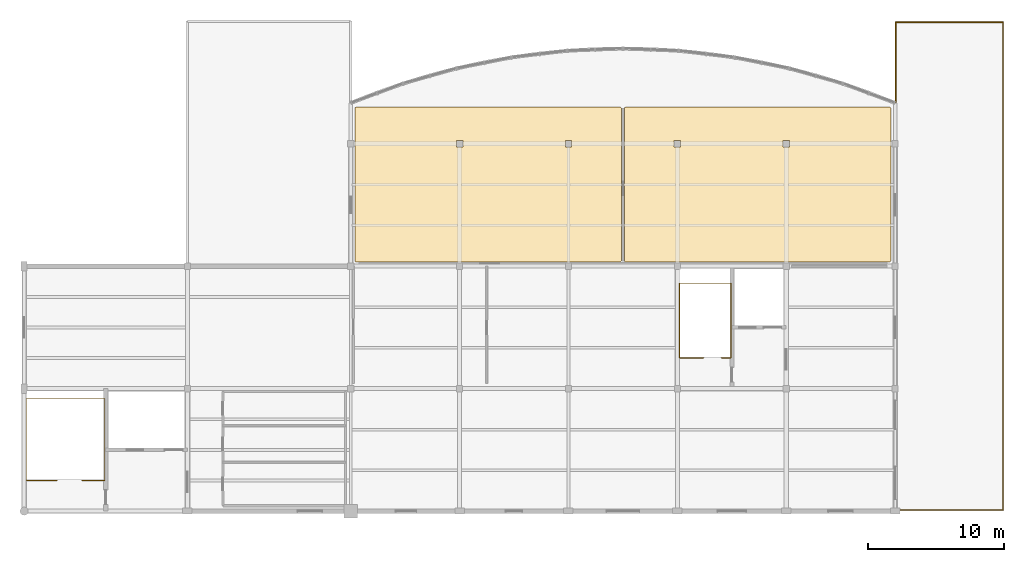
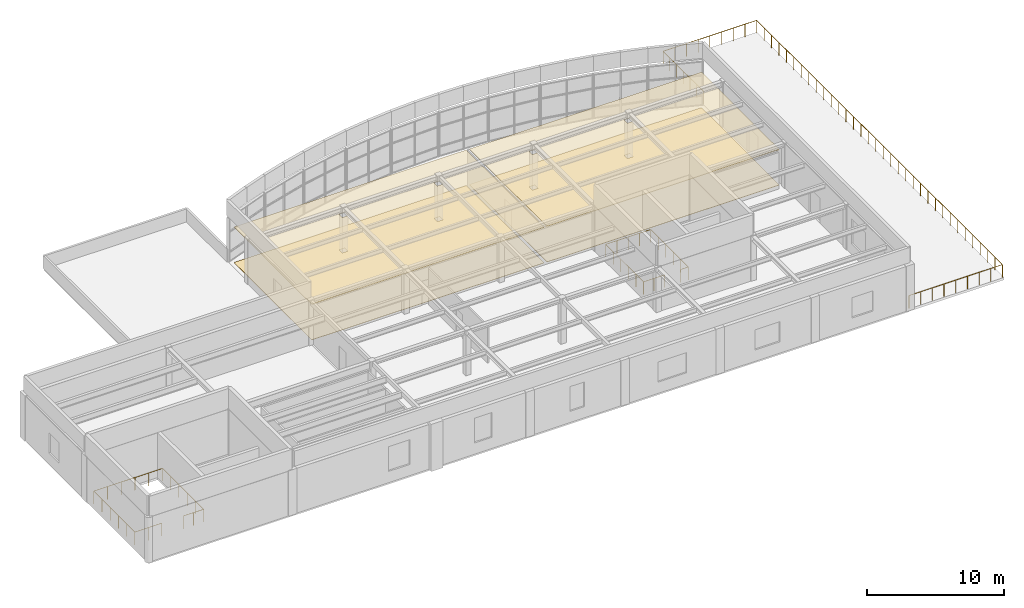
# One storey, part 9 of 9: 4 coverings, 3 railings.
"""IFC4 building model written with IfcOpenShell, lengths in metres."""

from ifc_helpers import new_model, si_unit, direction, frame, origin, origin_2d, place, context, subcontext, project, spatial, polyline, circle, outline, extrude, material, layer, layer_set, type_object, element, save


model = new_model("IFC4")

# Units and contexts
model_context = context("Model", 3, precision=1e-05, world=origin(), true_north=direction((0.0, 1.0)))
body_context = subcontext(model_context, "Body", "Model", "MODEL_VIEW")
ifc_project = project(units=[si_unit("LENGTHUNIT", "METRE"), si_unit("AREAUNIT", "SQUARE_METRE"), si_unit("VOLUMEUNIT", "CUBIC_METRE"), si_unit("PLANEANGLEUNIT", "RADIAN"), si_unit("MASSUNIT", "GRAM", prefix="KILO")], contexts=[model_context])

# Site, building, storey
site_placement = place(None, origin())
site = spatial("IfcSite", under=ifc_project, at=site_placement, CompositionType="ELEMENT")
building_placement = place(site_placement, origin())
building = spatial("IfcBuilding", under=site, at=building_placement, Name="Keelwater Ferry Terminal", CompositionType="ELEMENT")
storey_placement = place(building_placement, frame((0.0, 0.0, 23.699951171875)))
storey = spatial("IfcBuildingStorey", under=building, at=storey_placement, Name="L05", CompositionType="ELEMENT", Elevation=23.699951171875)

# Railing
ifc_material_1 = material(Name="Marine stainless steel and laminated glass balustrade", Category="steel")
railing_type_1 = type_object("IfcRailingType", Name="BL-115 Waterfront Promenade Balustrade", PredefinedType="BALUSTRADE", material=ifc_material_1)
railing_1_placement = place(storey_placement, frame((172.050048828125, 90.080078125, 0.0)))
element("IfcRailing", 1, at=railing_1_placement, inside=storey, type_object=railing_type_1, Name="Observation Deck Guard 7", PredefinedType="BALUSTRADE", context=body_context, shape_type="SweptSolid", body=[
    extrude(circle(Radius=0.02685546875, at=origin_2d()), frame((0.0, 0.0, 1.123046875), z_axis=(1.0, 0.0, 0.0), x_axis=(0.0, 1.0, 0.0)), (0.0, 0.0, 1.0), 7.869873046875),
    extrude(circle(Radius=0.02685546875, at=origin_2d()), frame((7.869873046875, 0.0, 1.123046875), z_axis=(0.0, 1.0, 0.0), x_axis=(-1.0, 0.0, 0.0)), (0.0, 0.0, 1.0), 35.83984375),
    extrude(circle(Radius=0.02685546875, at=origin_2d()), frame((7.869873046875, 35.83984375, 1.123046875), z_axis=(-1.0, 0.0, 0.0), x_axis=(0.0, -1.0, 0.0)), (0.0, 0.0, 1.0), 7.869873046875),
    extrude(circle(Radius=0.02685546875, at=origin_2d()), frame((0.0, 35.83984375, 1.123046875), z_axis=(0.0, -1.0, 0.0), x_axis=(1.0, 0.0, 0.0)), (0.0, 0.0, 1.0), 5.869873046875),
    extrude(circle(Radius=0.02392578125, at=origin_2d()), origin(), (0.0, 0.0, 1.0), 1.095947265625),
    extrude(circle(Radius=0.02392578125, at=origin_2d()), frame((0.983642578125, 0.0, 0.0)), (0.0, 0.0, 1.0), 1.095947265625),
    extrude(circle(Radius=0.02392578125, at=origin_2d()), frame((1.967529296875, 0.0, 0.0)), (0.0, 0.0, 1.0), 1.095947265625),
    extrude(circle(Radius=0.02392578125, at=origin_2d()), frame((2.951171875, 0.0, 0.0)), (0.0, 0.0, 1.0), 1.095947265625),
    extrude(circle(Radius=0.02392578125, at=origin_2d()), frame((3.93505859375, 0.0, 0.0)), (0.0, 0.0, 1.0), 1.095947265625),
    extrude(circle(Radius=0.02392578125, at=origin_2d()), frame((4.918701171875, 0.0, 0.0)), (0.0, 0.0, 1.0), 1.095947265625),
    extrude(circle(Radius=0.02392578125, at=origin_2d()), frame((5.90234375, 0.0, 0.0)), (0.0, 0.0, 1.0), 1.095947265625),
    extrude(circle(Radius=0.02392578125, at=origin_2d()), frame((6.88623046875, 0.0, 0.0)), (0.0, 0.0, 1.0), 1.095947265625),
    extrude(circle(Radius=0.02392578125, at=origin_2d()), frame((7.869873046875, 0.0, 0.0)), (0.0, 0.0, 1.0), 1.095947265625),
    extrude(circle(Radius=0.02392578125, at=origin_2d()), frame((7.869873046875, 1.0859375, 0.0)), (0.0, 0.0, 1.0), 1.095947265625),
    extrude(circle(Radius=0.02392578125, at=origin_2d()), frame((7.869873046875, 2.172119140625, 0.0)), (0.0, 0.0, 1.0), 1.095947265625),
    extrude(circle(Radius=0.02392578125, at=origin_2d()), frame((7.869873046875, 3.258056640625, 0.0)), (0.0, 0.0, 1.0), 1.095947265625),
    extrude(circle(Radius=0.02392578125, at=origin_2d()), frame((7.869873046875, 4.34423828125, 0.0)), (0.0, 0.0, 1.0), 1.095947265625),
    extrude(circle(Radius=0.02392578125, at=origin_2d()), frame((7.869873046875, 5.43017578125, 0.0)), (0.0, 0.0, 1.0), 1.095947265625),
    extrude(circle(Radius=0.02392578125, at=origin_2d()), frame((7.869873046875, 6.516357421875, 0.0)), (0.0, 0.0, 1.0), 1.095947265625),
    extrude(circle(Radius=0.02392578125, at=origin_2d()), frame((7.869873046875, 7.602294921875, 0.0)), (0.0, 0.0, 1.0), 1.095947265625),
    extrude(circle(Radius=0.02392578125, at=origin_2d()), frame((7.869873046875, 8.6884765625, 0.0)), (0.0, 0.0, 1.0), 1.095947265625),
    extrude(circle(Radius=0.02392578125, at=origin_2d()), frame((7.869873046875, 9.7744140625, 0.0)), (0.0, 0.0, 1.0), 1.095947265625),
    extrude(circle(Radius=0.02392578125, at=origin_2d()), frame((7.869873046875, 10.860595703125, 0.0)), (0.0, 0.0, 1.0), 1.095947265625),
    extrude(circle(Radius=0.02392578125, at=origin_2d()), frame((7.869873046875, 11.946533203125, 0.0)), (0.0, 0.0, 1.0), 1.095947265625),
    extrude(circle(Radius=0.02392578125, at=origin_2d()), frame((7.869873046875, 13.03271484375, 0.0)), (0.0, 0.0, 1.0), 1.095947265625),
    extrude(circle(Radius=0.02392578125, at=origin_2d()), frame((7.869873046875, 14.11865234375, 0.0)), (0.0, 0.0, 1.0), 1.095947265625),
    extrude(circle(Radius=0.02392578125, at=origin_2d()), frame((7.869873046875, 15.204833984375, 0.0)), (0.0, 0.0, 1.0), 1.095947265625),
    extrude(circle(Radius=0.02392578125, at=origin_2d()), frame((7.869873046875, 16.290771484375, 0.0)), (0.0, 0.0, 1.0), 1.095947265625),
    extrude(circle(Radius=0.02392578125, at=origin_2d()), frame((7.869873046875, 17.376953125, 0.0)), (0.0, 0.0, 1.0), 1.095947265625),
    extrude(circle(Radius=0.02392578125, at=origin_2d()), frame((7.869873046875, 18.462890625, 0.0)), (0.0, 0.0, 1.0), 1.095947265625),
    extrude(circle(Radius=0.02392578125, at=origin_2d()), frame((7.869873046875, 19.549072265625, 0.0)), (0.0, 0.0, 1.0), 1.095947265625),
    extrude(circle(Radius=0.02392578125, at=origin_2d()), frame((7.869873046875, 20.635009765625, 0.0)), (0.0, 0.0, 1.0), 1.095947265625),
    extrude(circle(Radius=0.02392578125, at=origin_2d()), frame((7.869873046875, 21.72119140625, 0.0)), (0.0, 0.0, 1.0), 1.095947265625),
    extrude(circle(Radius=0.02392578125, at=origin_2d()), frame((7.869873046875, 22.80712890625, 0.0)), (0.0, 0.0, 1.0), 1.095947265625),
    extrude(circle(Radius=0.02392578125, at=origin_2d()), frame((7.869873046875, 23.893310546875, 0.0)), (0.0, 0.0, 1.0), 1.095947265625),
    extrude(circle(Radius=0.02392578125, at=origin_2d()), frame((7.869873046875, 24.979248046875, 0.0)), (0.0, 0.0, 1.0), 1.095947265625),
    extrude(circle(Radius=0.02392578125, at=origin_2d()), frame((7.869873046875, 26.0654296875, 0.0)), (0.0, 0.0, 1.0), 1.095947265625),
    extrude(circle(Radius=0.02392578125, at=origin_2d()), frame((7.869873046875, 27.1513671875, 0.0)), (0.0, 0.0, 1.0), 1.095947265625),
    extrude(circle(Radius=0.02392578125, at=origin_2d()), frame((7.869873046875, 28.237548828125, 0.0)), (0.0, 0.0, 1.0), 1.095947265625),
    extrude(circle(Radius=0.02392578125, at=origin_2d()), frame((7.869873046875, 29.323486328125, 0.0)), (0.0, 0.0, 1.0), 1.095947265625),
    extrude(circle(Radius=0.02392578125, at=origin_2d()), frame((7.869873046875, 30.40966796875, 0.0)), (0.0, 0.0, 1.0), 1.095947265625),
    extrude(circle(Radius=0.02392578125, at=origin_2d()), frame((7.869873046875, 31.49560546875, 0.0)), (0.0, 0.0, 1.0), 1.095947265625),
    extrude(circle(Radius=0.02392578125, at=origin_2d()), frame((7.869873046875, 32.581787109375, 0.0)), (0.0, 0.0, 1.0), 1.095947265625),
    extrude(circle(Radius=0.02392578125, at=origin_2d()), frame((7.869873046875, 33.667724609375, 0.0)), (0.0, 0.0, 1.0), 1.095947265625),
    extrude(circle(Radius=0.02392578125, at=origin_2d()), frame((7.869873046875, 34.75390625, 0.0)), (0.0, 0.0, 1.0), 1.095947265625),
    extrude(circle(Radius=0.02392578125, at=origin_2d()), frame((7.869873046875, 35.83984375, 0.0)), (0.0, 0.0, 1.0), 1.095947265625),
    extrude(circle(Radius=0.02392578125, at=origin_2d()), frame((6.88623046875, 35.83984375, 0.0)), (0.0, 0.0, 1.0), 1.095947265625),
    extrude(circle(Radius=0.02392578125, at=origin_2d()), frame((5.90234375, 35.83984375, 0.0)), (0.0, 0.0, 1.0), 1.095947265625),
    extrude(circle(Radius=0.02392578125, at=origin_2d()), frame((4.918701171875, 35.83984375, 0.0)), (0.0, 0.0, 1.0), 1.095947265625),
    extrude(circle(Radius=0.02392578125, at=origin_2d()), frame((3.93505859375, 35.83984375, 0.0)), (0.0, 0.0, 1.0), 1.095947265625),
    extrude(circle(Radius=0.02392578125, at=origin_2d()), frame((2.951171875, 35.83984375, 0.0)), (0.0, 0.0, 1.0), 1.095947265625),
    extrude(circle(Radius=0.02392578125, at=origin_2d()), frame((1.967529296875, 35.83984375, 0.0)), (0.0, 0.0, 1.0), 1.095947265625),
    extrude(circle(Radius=0.02392578125, at=origin_2d()), frame((0.983642578125, 35.83984375, 0.0)), (0.0, 0.0, 1.0), 1.095947265625),
    extrude(circle(Radius=0.02392578125, at=origin_2d()), frame((0.0, 35.83984375, 0.0)), (0.0, 0.0, 1.0), 1.095947265625),
    extrude(circle(Radius=0.02392578125, at=origin_2d()), frame((0.0, 34.861572265625, 0.0)), (0.0, 0.0, 1.0), 1.095947265625),
    extrude(circle(Radius=0.02392578125, at=origin_2d()), frame((0.0, 33.88330078125, 0.0)), (0.0, 0.0, 1.0), 1.095947265625),
    extrude(circle(Radius=0.02392578125, at=origin_2d()), frame((0.0, 32.90478515625, 0.0)), (0.0, 0.0, 1.0), 1.095947265625),
    extrude(circle(Radius=0.02392578125, at=origin_2d()), frame((0.0, 31.926513671875, 0.0)), (0.0, 0.0, 1.0), 1.095947265625),
    extrude(circle(Radius=0.02392578125, at=origin_2d()), frame((0.0, 30.9482421875, 0.0)), (0.0, 0.0, 1.0), 1.095947265625),
    extrude(circle(Radius=0.02392578125, at=origin_2d()), frame((0.0, 29.969970703125, 0.0)), (0.0, 0.0, 1.0), 1.095947265625),
])

# Coverings
ifc_material_2 = material(Name="Perforated acoustic gypsum board ceiling", Category="gypsum")
ifc_layer_1 = layer(ifc_material_2, 0.044921875)
ifc_layer_set_1 = layer_set([ifc_layer_1], Name="Perforated acoustic gypsum board ceiling")
covering_type_1 = type_object("IfcCoveringType", Name="CL-AC Acoustic Baffle Ceiling", PredefinedType="CEILING", material=ifc_layer_set_1)
covering_1_placement = place(storey_placement, frame((0.0, 0.0, 3.150146484375)))
element("IfcCovering", 2, at=covering_1_placement, inside=storey, type_object=covering_type_1, Name="Harbour Master's Office Acoustic Ceiling", PredefinedType="CEILING", context=body_context, shape_type="SweptSolid", body=[
    extrude(outline(polyline([(171.615966796875, 119.677978515625), (171.623046875, 119.677001953125), (171.631103515625, 119.674072265625), (171.637939453125, 119.6708984375), (171.64404296875, 119.6669921875), (171.65087890625, 119.662109375), (171.656982421875, 119.656982421875), (171.662109375, 119.65087890625), (171.6669921875, 119.64404296875), (171.6708984375, 119.637939453125), (171.674072265625, 119.631103515625), (171.677001953125, 119.623046875), (171.677978515625, 119.615966796875), (171.679931640625, 119.60791015625), (171.679931640625, 119.60009765625), (171.679931640625, 108.39990234375), (171.679931640625, 108.39208984375), (171.677978515625, 108.384033203125), (171.677001953125, 108.376953125), (171.674072265625, 108.368896484375), (171.6708984375, 108.362060546875), (171.6669921875, 108.35595703125), (171.662109375, 108.34912109375), (171.656982421875, 108.343017578125), (171.65087890625, 108.337890625), (171.64404296875, 108.3330078125), (171.637939453125, 108.3291015625), (171.631103515625, 108.325927734375), (171.623046875, 108.322998046875), (171.615966796875, 108.322021484375), (171.60791015625, 108.320068359375), (171.60009765625, 108.320068359375), (152.199951171875, 108.320068359375), (152.19189453125, 108.320068359375), (152.18408203125, 108.322021484375), (152.177001953125, 108.322998046875), (152.1689453125, 108.325927734375), (152.162109375, 108.3291015625), (152.156005859375, 108.3330078125), (152.14892578125, 108.337890625), (152.14306640625, 108.343017578125), (152.137939453125, 108.34912109375), (152.133056640625, 108.35595703125), (152.12890625, 108.362060546875), (152.1259765625, 108.368896484375), (152.123046875, 108.376953125), (152.1220703125, 108.384033203125), (152.1201171875, 108.39208984375), (152.1201171875, 108.39990234375), (152.1201171875, 119.60009765625), (152.1201171875, 119.60791015625), (152.1220703125, 119.615966796875), (152.123046875, 119.623046875), (152.1259765625, 119.631103515625), (152.12890625, 119.637939453125), (152.133056640625, 119.64404296875), (152.137939453125, 119.65087890625), (152.14306640625, 119.656982421875), (152.14892578125, 119.662109375), (152.156005859375, 119.6669921875), (152.162109375, 119.6708984375), (152.1689453125, 119.674072265625), (152.177001953125, 119.677001953125), (152.18408203125, 119.677978515625), (152.19189453125, 119.679931640625), (152.199951171875, 119.679931640625), (171.60009765625, 119.679931640625), (171.60791015625, 119.679931640625), (171.615966796875, 119.677978515625)]), holes=[polyline([(156.235107421875, 116.764892578125), (156.235107421875, 117.235107421875), (155.764892578125, 117.235107421875), (155.764892578125, 116.764892578125), (156.235107421875, 116.764892578125)]), polyline([(164.235107421875, 116.764892578125), (164.235107421875, 117.235107421875), (163.764892578125, 117.235107421875), (163.764892578125, 116.764892578125), (164.235107421875, 116.764892578125)])]), origin(), (0.0, 0.0, 1.0), 0.044921875),
])
covering_2_placement = place(storey_placement, frame((0.0, 0.0, 3.150146484375)))
element("IfcCovering", 3, at=covering_2_placement, inside=storey, type_object=covering_type_1, Name="Vessel Traffic Service Control Room Acoustic Ceiling", PredefinedType="CEILING", context=body_context, shape_type="SweptSolid", body=[
    extrude(outline(polyline([(151.81591796875, 119.677978515625), (151.822998046875, 119.677001953125), (151.8310546875, 119.674072265625), (151.837890625, 119.6708984375), (151.843994140625, 119.6669921875), (151.85107421875, 119.662109375), (151.85693359375, 119.656982421875), (151.862060546875, 119.65087890625), (151.866943359375, 119.64404296875), (151.87109375, 119.637939453125), (151.8740234375, 119.631103515625), (151.876953125, 119.623046875), (151.8779296875, 119.615966796875), (151.8798828125, 119.60791015625), (151.8798828125, 119.60009765625), (151.8798828125, 108.39990234375), (151.8798828125, 108.39208984375), (151.8779296875, 108.384033203125), (151.876953125, 108.376953125), (151.8740234375, 108.368896484375), (151.87109375, 108.362060546875), (151.866943359375, 108.35595703125), (151.862060546875, 108.34912109375), (151.85693359375, 108.343017578125), (151.85107421875, 108.337890625), (151.843994140625, 108.3330078125), (151.837890625, 108.3291015625), (151.8310546875, 108.325927734375), (151.822998046875, 108.322998046875), (151.81591796875, 108.322021484375), (151.80810546875, 108.320068359375), (151.800048828125, 108.320068359375), (132.39990234375, 108.320068359375), (132.39208984375, 108.320068359375), (132.384033203125, 108.322021484375), (132.376953125, 108.322998046875), (132.368896484375, 108.325927734375), (132.362060546875, 108.3291015625), (132.35595703125, 108.3330078125), (132.34912109375, 108.337890625), (132.343017578125, 108.343017578125), (132.337890625, 108.34912109375), (132.3330078125, 108.35595703125), (132.3291015625, 108.362060546875), (132.325927734375, 108.368896484375), (132.322998046875, 108.376953125), (132.322021484375, 108.384033203125), (132.320068359375, 108.39208984375), (132.320068359375, 108.39990234375), (132.320068359375, 119.60009765625), (132.320068359375, 119.60791015625), (132.322021484375, 119.615966796875), (132.322998046875, 119.623046875), (132.325927734375, 119.631103515625), (132.3291015625, 119.637939453125), (132.3330078125, 119.64404296875), (132.337890625, 119.65087890625), (132.343017578125, 119.656982421875), (132.34912109375, 119.662109375), (132.35595703125, 119.6669921875), (132.362060546875, 119.6708984375), (132.368896484375, 119.674072265625), (132.376953125, 119.677001953125), (132.384033203125, 119.677978515625), (132.39208984375, 119.679931640625), (132.39990234375, 119.679931640625), (151.800048828125, 119.679931640625), (151.80810546875, 119.679931640625), (151.81591796875, 119.677978515625)]), holes=[polyline([(140.235107421875, 116.764892578125), (140.235107421875, 117.235107421875), (139.764892578125, 117.235107421875), (139.764892578125, 116.764892578125), (140.235107421875, 116.764892578125)]), polyline([(148.235107421875, 116.764892578125), (148.235107421875, 117.235107421875), (147.764892578125, 117.235107421875), (147.764892578125, 116.764892578125), (148.235107421875, 116.764892578125)])]), origin(), (0.0, 0.0, 1.0), 0.044921875),
])
ifc_material_3 = material(Name="Polished mineral terrazzo tile", Category="stone")
ifc_layer_2 = layer(ifc_material_3, 0.030029296875)
ifc_layer_set_2 = layer_set([ifc_layer_2], Name="Polished mineral terrazzo tile")
covering_type_2 = type_object("IfcCoveringType", Name="FL-TZ Marine Terrazzo Flooring", PredefinedType="FLOORING", material=ifc_layer_set_2)
covering_3_placement = place(storey_placement, origin())
element("IfcCovering", 4, at=covering_3_placement, inside=storey, type_object=covering_type_2, Name="Harbour Master's Office Terrazzo Floor", PredefinedType="FLOORING", context=body_context, shape_type="SweptSolid", body=[
    extrude(outline(polyline([(171.615966796875, 119.677978515625), (171.623046875, 119.677001953125), (171.631103515625, 119.674072265625), (171.637939453125, 119.6708984375), (171.64404296875, 119.6669921875), (171.65087890625, 119.662109375), (171.656982421875, 119.656982421875), (171.662109375, 119.65087890625), (171.6669921875, 119.64404296875), (171.6708984375, 119.637939453125), (171.674072265625, 119.631103515625), (171.677001953125, 119.623046875), (171.677978515625, 119.615966796875), (171.679931640625, 119.60791015625), (171.679931640625, 119.60009765625), (171.679931640625, 108.39990234375), (171.679931640625, 108.39208984375), (171.677978515625, 108.384033203125), (171.677001953125, 108.376953125), (171.674072265625, 108.368896484375), (171.6708984375, 108.362060546875), (171.6669921875, 108.35595703125), (171.662109375, 108.34912109375), (171.656982421875, 108.343017578125), (171.65087890625, 108.337890625), (171.64404296875, 108.3330078125), (171.637939453125, 108.3291015625), (171.631103515625, 108.325927734375), (171.623046875, 108.322998046875), (171.615966796875, 108.322021484375), (171.60791015625, 108.320068359375), (171.60009765625, 108.320068359375), (152.199951171875, 108.320068359375), (152.19189453125, 108.320068359375), (152.18408203125, 108.322021484375), (152.177001953125, 108.322998046875), (152.1689453125, 108.325927734375), (152.162109375, 108.3291015625), (152.156005859375, 108.3330078125), (152.14892578125, 108.337890625), (152.14306640625, 108.343017578125), (152.137939453125, 108.34912109375), (152.133056640625, 108.35595703125), (152.12890625, 108.362060546875), (152.1259765625, 108.368896484375), (152.123046875, 108.376953125), (152.1220703125, 108.384033203125), (152.1201171875, 108.39208984375), (152.1201171875, 108.39990234375), (152.1201171875, 119.60009765625), (152.1201171875, 119.60791015625), (152.1220703125, 119.615966796875), (152.123046875, 119.623046875), (152.1259765625, 119.631103515625), (152.12890625, 119.637939453125), (152.133056640625, 119.64404296875), (152.137939453125, 119.65087890625), (152.14306640625, 119.656982421875), (152.14892578125, 119.662109375), (152.156005859375, 119.6669921875), (152.162109375, 119.6708984375), (152.1689453125, 119.674072265625), (152.177001953125, 119.677001953125), (152.18408203125, 119.677978515625), (152.19189453125, 119.679931640625), (152.199951171875, 119.679931640625), (171.60009765625, 119.679931640625), (171.60791015625, 119.679931640625), (171.615966796875, 119.677978515625)]), holes=[polyline([(156.235107421875, 116.764892578125), (156.235107421875, 117.235107421875), (155.764892578125, 117.235107421875), (155.764892578125, 116.764892578125), (156.235107421875, 116.764892578125)]), polyline([(164.235107421875, 116.764892578125), (164.235107421875, 117.235107421875), (163.764892578125, 117.235107421875), (163.764892578125, 116.764892578125), (164.235107421875, 116.764892578125)])]), origin(), (0.0, 0.0, 1.0), 0.030029296875),
])
covering_4_placement = place(storey_placement, origin())
element("IfcCovering", 5, at=covering_4_placement, inside=storey, type_object=covering_type_2, Name="Vessel Traffic Service Control Room Terrazzo Floor", PredefinedType="FLOORING", context=body_context, shape_type="SweptSolid", body=[
    extrude(outline(polyline([(151.81591796875, 119.677978515625), (151.822998046875, 119.677001953125), (151.8310546875, 119.674072265625), (151.837890625, 119.6708984375), (151.843994140625, 119.6669921875), (151.85107421875, 119.662109375), (151.85693359375, 119.656982421875), (151.862060546875, 119.65087890625), (151.866943359375, 119.64404296875), (151.87109375, 119.637939453125), (151.8740234375, 119.631103515625), (151.876953125, 119.623046875), (151.8779296875, 119.615966796875), (151.8798828125, 119.60791015625), (151.8798828125, 119.60009765625), (151.8798828125, 108.39990234375), (151.8798828125, 108.39208984375), (151.8779296875, 108.384033203125), (151.876953125, 108.376953125), (151.8740234375, 108.368896484375), (151.87109375, 108.362060546875), (151.866943359375, 108.35595703125), (151.862060546875, 108.34912109375), (151.85693359375, 108.343017578125), (151.85107421875, 108.337890625), (151.843994140625, 108.3330078125), (151.837890625, 108.3291015625), (151.8310546875, 108.325927734375), (151.822998046875, 108.322998046875), (151.81591796875, 108.322021484375), (151.80810546875, 108.320068359375), (151.800048828125, 108.320068359375), (132.39990234375, 108.320068359375), (132.39208984375, 108.320068359375), (132.384033203125, 108.322021484375), (132.376953125, 108.322998046875), (132.368896484375, 108.325927734375), (132.362060546875, 108.3291015625), (132.35595703125, 108.3330078125), (132.34912109375, 108.337890625), (132.343017578125, 108.343017578125), (132.337890625, 108.34912109375), (132.3330078125, 108.35595703125), (132.3291015625, 108.362060546875), (132.325927734375, 108.368896484375), (132.322998046875, 108.376953125), (132.322021484375, 108.384033203125), (132.320068359375, 108.39208984375), (132.320068359375, 108.39990234375), (132.320068359375, 119.60009765625), (132.320068359375, 119.60791015625), (132.322021484375, 119.615966796875), (132.322998046875, 119.623046875), (132.325927734375, 119.631103515625), (132.3291015625, 119.637939453125), (132.3330078125, 119.64404296875), (132.337890625, 119.65087890625), (132.343017578125, 119.656982421875), (132.34912109375, 119.662109375), (132.35595703125, 119.6669921875), (132.362060546875, 119.6708984375), (132.368896484375, 119.674072265625), (132.376953125, 119.677001953125), (132.384033203125, 119.677978515625), (132.39208984375, 119.679931640625), (132.39990234375, 119.679931640625), (151.800048828125, 119.679931640625), (151.80810546875, 119.679931640625), (151.81591796875, 119.677978515625)]), holes=[polyline([(140.235107421875, 116.764892578125), (140.235107421875, 117.235107421875), (139.764892578125, 117.235107421875), (139.764892578125, 116.764892578125), (140.235107421875, 116.764892578125)]), polyline([(148.235107421875, 116.764892578125), (148.235107421875, 117.235107421875), (147.764892578125, 117.235107421875), (147.764892578125, 116.764892578125), (148.235107421875, 116.764892578125)])]), origin(), (0.0, 0.0, 1.0), 0.030029296875),
])

# Railings
ifc_material_4 = material(Name="Painted Steel S355", Category="steel")
railing_type_2 = type_object("IfcRailingType", Name="GR-115 Stair Well Guardrail", PredefinedType="GUARDRAIL", material=ifc_material_4)
railing_2_placement = place(storey_placement, frame((110.429931640625, 92.260009765625, 0.0)))
element("IfcRailing", 6, at=railing_2_placement, inside=storey, type_object=railing_type_2, Name="Stair ST-C2-L04 Top Well Guard 40", PredefinedType="GUARDRAIL", context=body_context, shape_type="SweptSolid", body=[
    extrude(circle(Radius=0.02392578125, at=origin_2d()), frame((0.0, 0.0, 1.1259765625), z_axis=(-1.0, 0.0, 0.0), x_axis=(0.0, -1.0, 0.0)), (0.0, 0.0, 1.0), 2.27001953125),
    extrude(circle(Radius=0.02392578125, at=origin_2d()), frame((-2.27001953125, 0.0, 1.1259765625), z_axis=(0.0, 1.0, 0.0), x_axis=(-1.0, 0.0, 0.0)), (0.0, 0.0, 1.0), 6.0),
    extrude(circle(Radius=0.02392578125, at=origin_2d()), frame((-2.27001953125, 6.0, 1.1259765625), z_axis=(1.0, 0.0, 0.0), x_axis=(0.0, 1.0, 0.0)), (0.0, 0.0, 1.0), 5.780029296875),
    extrude(circle(Radius=0.02392578125, at=origin_2d()), frame((3.510009765625, 6.0, 1.1259765625), z_axis=(0.0, -1.0, 0.0), x_axis=(1.0, 0.0, 0.0)), (0.0, 0.0, 1.0), 6.0),
    extrude(circle(Radius=0.02392578125, at=origin_2d()), frame((3.510009765625, 0.0, 1.1259765625), z_axis=(-1.0, 0.0, 0.0), x_axis=(0.0, -1.0, 0.0)), (0.0, 0.0, 1.0), 1.699951171875),
    extrude(circle(Radius=0.02099609375, at=origin_2d()), origin(), (0.0, 0.0, 1.0), 1.101806640625),
    extrude(circle(Radius=0.02099609375, at=origin_2d()), frame((-1.135009765625, 0.0, 0.0)), (0.0, 0.0, 1.0), 1.101806640625),
    extrude(circle(Radius=0.02099609375, at=origin_2d()), frame((-2.27001953125, 0.0, 0.0)), (0.0, 0.0, 1.0), 1.101806640625),
    extrude(circle(Radius=0.02099609375, at=origin_2d()), frame((-2.27001953125, 1.199951171875, 0.0)), (0.0, 0.0, 1.0), 1.101806640625),
    extrude(circle(Radius=0.02099609375, at=origin_2d()), frame((-2.27001953125, 2.39990234375, 0.0)), (0.0, 0.0, 1.0), 1.101806640625),
    extrude(circle(Radius=0.02099609375, at=origin_2d()), frame((-2.27001953125, 3.60009765625, 0.0)), (0.0, 0.0, 1.0), 1.101806640625),
    extrude(circle(Radius=0.02099609375, at=origin_2d()), frame((-2.27001953125, 4.800048828125, 0.0)), (0.0, 0.0, 1.0), 1.101806640625),
    extrude(circle(Radius=0.02099609375, at=origin_2d()), frame((-2.27001953125, 6.0, 0.0)), (0.0, 0.0, 1.0), 1.101806640625),
    extrude(circle(Radius=0.02099609375, at=origin_2d()), frame((-1.114013671875, 6.0, 0.0)), (0.0, 0.0, 1.0), 1.101806640625),
    extrude(circle(Radius=0.02099609375, at=origin_2d()), frame((0.0419921875, 6.0, 0.0)), (0.0, 0.0, 1.0), 1.101806640625),
    extrude(circle(Radius=0.02099609375, at=origin_2d()), frame((1.197998046875, 6.0, 0.0)), (0.0, 0.0, 1.0), 1.101806640625),
    extrude(circle(Radius=0.02099609375, at=origin_2d()), frame((2.35400390625, 6.0, 0.0)), (0.0, 0.0, 1.0), 1.101806640625),
    extrude(circle(Radius=0.02099609375, at=origin_2d()), frame((3.510009765625, 6.0, 0.0)), (0.0, 0.0, 1.0), 1.101806640625),
    extrude(circle(Radius=0.02099609375, at=origin_2d()), frame((3.510009765625, 4.800048828125, 0.0)), (0.0, 0.0, 1.0), 1.101806640625),
    extrude(circle(Radius=0.02099609375, at=origin_2d()), frame((3.510009765625, 3.60009765625, 0.0)), (0.0, 0.0, 1.0), 1.101806640625),
    extrude(circle(Radius=0.02099609375, at=origin_2d()), frame((3.510009765625, 2.39990234375, 0.0)), (0.0, 0.0, 1.0), 1.101806640625),
    extrude(circle(Radius=0.02099609375, at=origin_2d()), frame((3.510009765625, 1.199951171875, 0.0)), (0.0, 0.0, 1.0), 1.101806640625),
    extrude(circle(Radius=0.02099609375, at=origin_2d()), frame((3.510009765625, 0.0, 0.0)), (0.0, 0.0, 1.0), 1.101806640625),
    extrude(circle(Radius=0.02099609375, at=origin_2d()), frame((2.66015625, 0.0, 0.0)), (0.0, 0.0, 1.0), 1.101806640625),
    extrude(circle(Radius=0.02099609375, at=origin_2d()), frame((1.81005859375, 0.0, 0.0)), (0.0, 0.0, 1.0), 1.101806640625),
])
railing_3_placement = place(storey_placement, frame((157.929931640625, 101.260009765625, 0.0)))
element("IfcRailing", 7, at=railing_3_placement, inside=storey, type_object=railing_type_2, Name="Stair ST-C3-L04 Top Well Guard 69", PredefinedType="GUARDRAIL", context=body_context, shape_type="SweptSolid", body=[
    extrude(circle(Radius=0.02392578125, at=origin_2d()), frame((0.0, 0.0, 1.1259765625), z_axis=(-1.0, 0.0, 0.0), x_axis=(0.0, -1.0, 0.0)), (0.0, 0.0, 1.0), 1.77001953125),
    extrude(circle(Radius=0.02392578125, at=origin_2d()), frame((-1.77001953125, 0.0, 1.1259765625), z_axis=(0.0, 1.0, 0.0), x_axis=(-1.0, 0.0, 0.0)), (0.0, 0.0, 1.0), 5.5),
    extrude(circle(Radius=0.02392578125, at=origin_2d()), frame((-1.77001953125, 5.5, 1.1259765625), z_axis=(1.0, 0.0, 0.0), x_axis=(0.0, 1.0, 0.0)), (0.0, 0.0, 1.0), 3.780029296875),
    extrude(circle(Radius=0.02392578125, at=origin_2d()), frame((2.010009765625, 5.5, 1.1259765625), z_axis=(0.0, -1.0, 0.0), x_axis=(1.0, 0.0, 0.0)), (0.0, 0.0, 1.0), 5.5),
    extrude(circle(Radius=0.02392578125, at=origin_2d()), frame((2.010009765625, 0.0, 1.1259765625), z_axis=(-1.0, 0.0, 0.0), x_axis=(0.0, -1.0, 0.0)), (0.0, 0.0, 1.0), 0.699951171875),
    extrude(circle(Radius=0.02099609375, at=origin_2d()), origin(), (0.0, 0.0, 1.0), 1.101806640625),
    extrude(circle(Radius=0.02099609375, at=origin_2d()), frame((-0.885009765625, 0.0, 0.0)), (0.0, 0.0, 1.0), 1.101806640625),
    extrude(circle(Radius=0.02099609375, at=origin_2d()), frame((-1.77001953125, 0.0, 0.0)), (0.0, 0.0, 1.0), 1.101806640625),
    extrude(circle(Radius=0.02099609375, at=origin_2d()), frame((-1.77001953125, 1.10009765625, 0.0)), (0.0, 0.0, 1.0), 1.101806640625),
    extrude(circle(Radius=0.02099609375, at=origin_2d()), frame((-1.77001953125, 2.199951171875, 0.0)), (0.0, 0.0, 1.0), 1.101806640625),
    extrude(circle(Radius=0.02099609375, at=origin_2d()), frame((-1.77001953125, 3.300048828125, 0.0)), (0.0, 0.0, 1.0), 1.101806640625),
    extrude(circle(Radius=0.02099609375, at=origin_2d()), frame((-1.77001953125, 4.39990234375, 0.0)), (0.0, 0.0, 1.0), 1.101806640625),
    extrude(circle(Radius=0.02099609375, at=origin_2d()), frame((-1.77001953125, 5.5, 0.0)), (0.0, 0.0, 1.0), 1.101806640625),
    extrude(circle(Radius=0.02099609375, at=origin_2d()), frame((-0.824951171875, 5.5, 0.0)), (0.0, 0.0, 1.0), 1.101806640625),
    extrude(circle(Radius=0.02099609375, at=origin_2d()), frame((0.1201171875, 5.5, 0.0)), (0.0, 0.0, 1.0), 1.101806640625),
    extrude(circle(Radius=0.02099609375, at=origin_2d()), frame((1.06494140625, 5.5, 0.0)), (0.0, 0.0, 1.0), 1.101806640625),
    extrude(circle(Radius=0.02099609375, at=origin_2d()), frame((2.010009765625, 5.5, 0.0)), (0.0, 0.0, 1.0), 1.101806640625),
    extrude(circle(Radius=0.02099609375, at=origin_2d()), frame((2.010009765625, 4.39990234375, 0.0)), (0.0, 0.0, 1.0), 1.101806640625),
    extrude(circle(Radius=0.02099609375, at=origin_2d()), frame((2.010009765625, 3.300048828125, 0.0)), (0.0, 0.0, 1.0), 1.101806640625),
    extrude(circle(Radius=0.02099609375, at=origin_2d()), frame((2.010009765625, 2.199951171875, 0.0)), (0.0, 0.0, 1.0), 1.101806640625),
    extrude(circle(Radius=0.02099609375, at=origin_2d()), frame((2.010009765625, 1.10009765625, 0.0)), (0.0, 0.0, 1.0), 1.101806640625),
    extrude(circle(Radius=0.02099609375, at=origin_2d()), frame((2.010009765625, 0.0, 0.0)), (0.0, 0.0, 1.0), 1.101806640625),
    extrude(circle(Radius=0.02099609375, at=origin_2d()), frame((1.31005859375, 0.0, 0.0)), (0.0, 0.0, 1.0), 1.101806640625),
])

save(model, "model.ifc")
